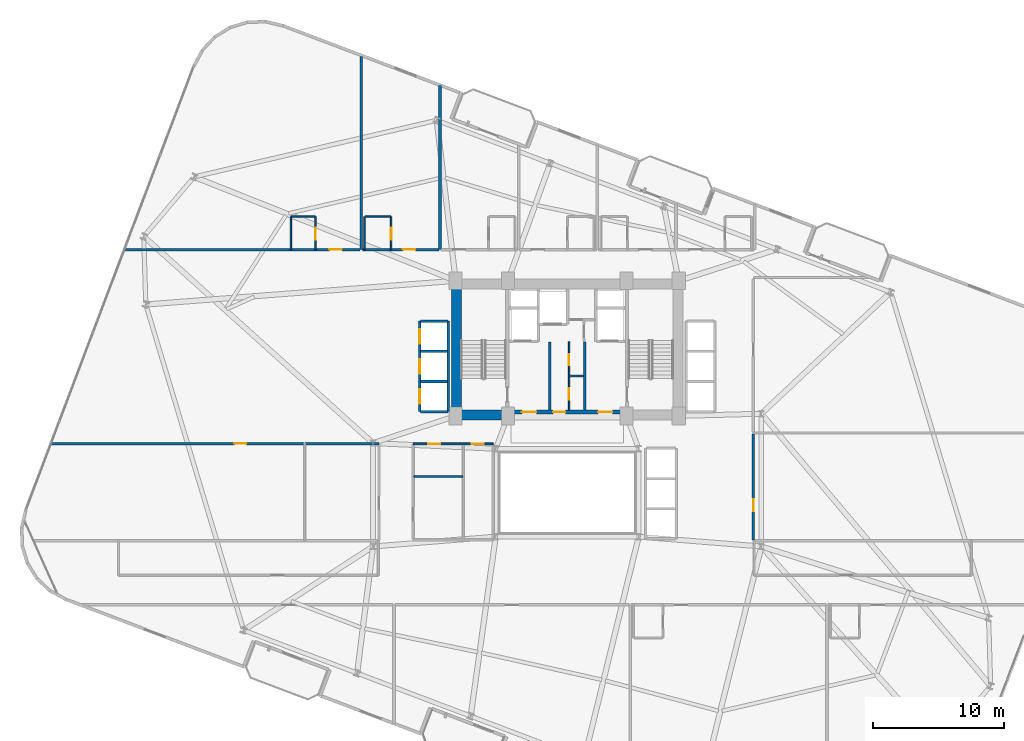
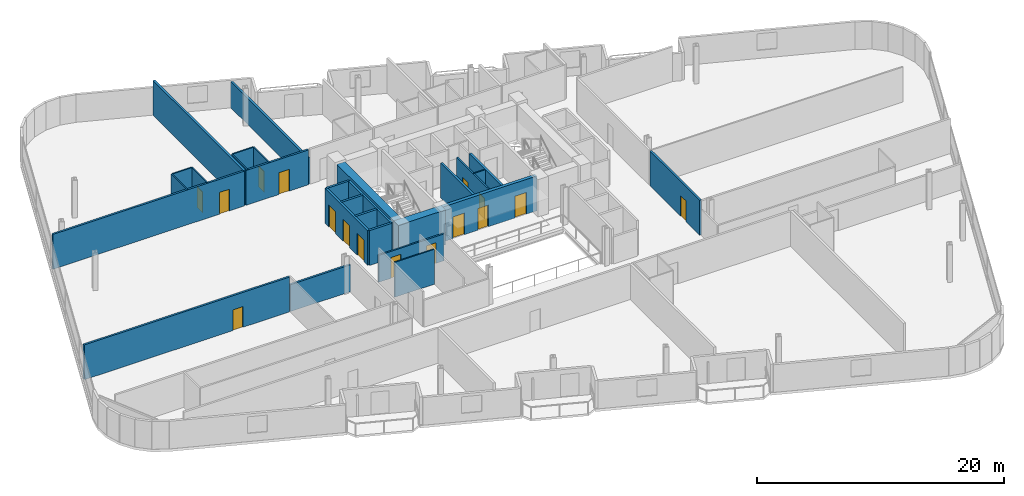
# One storey, part 19 of 25: 28 walls, 16 doors, 16 openings.
"""IFC4 building model written with IfcOpenShell, lengths in metres."""

from ifc_helpers import new_model, si_unit, direction, frame, frame_2d, origin, place, context, subcontext, project, spatial, rectangle, extrude, material, layer, layer_set, type_object, element, fill, save


model = new_model("IFC4")

# Units and contexts
model_context = context("Model", 3, precision=1e-05, world=origin(), true_north=direction((0.0, 1.0)))
body_context = subcontext(model_context, "Body", "Model", "MODEL_VIEW")
ifc_project = project(units=[si_unit("LENGTHUNIT", "METRE"), si_unit("AREAUNIT", "SQUARE_METRE"), si_unit("VOLUMEUNIT", "CUBIC_METRE"), si_unit("PLANEANGLEUNIT", "RADIAN"), si_unit("MASSUNIT", "GRAM", prefix="KILO")], contexts=[model_context])

# Site, building, storey
site_placement = place(None, origin())
site = spatial("IfcSite", under=ifc_project, at=site_placement, CompositionType="ELEMENT")
building_placement = place(site_placement, origin())
building = spatial("IfcBuilding", under=site, at=building_placement, Name="Varnelok Gate Tower", CompositionType="ELEMENT")
storey_placement = place(building_placement, frame((0.0, 0.0, 91.0)))
storey = spatial("IfcBuildingStorey", under=building, at=storey_placement, Name="L22", CompositionType="ELEMENT", Elevation=91.0)

# Wall, opening, door
ifc_material_1 = material(Name="Gypsum Plasterboard Acoustic Partition", Category="gypsum")
ifc_layer_1 = layer(ifc_material_1, 0.179931640625)
ifc_layer_set_1 = layer_set([ifc_layer_1], Name="Gypsum Plasterboard Acoustic Partition")
wall_type_1 = type_object("IfcWallType", Name="PW-CORR-180", PredefinedType="PARTITIONING", material=ifc_layer_set_1)
wall_1_placement = place(storey_placement, frame((5.505859375, 41.429931640625, 0.0), z_axis=(0.0, 0.0, 1.0), x_axis=(1.0, 0.0, 0.0)))
wall_1 = element("IfcWall", 1, at=wall_1_placement, inside=storey, type_object=wall_type_1, Name="Interior Partition", PredefinedType="PARTITIONING", context=body_context, shape_type="SweptSolid", body=[
    extrude(rectangle(XDim=17.9140625, YDim=0.179931640625, at=frame_2d((8.95703125, 0.0))), origin(), (0.0, 0.0, 1.0), 3.449951171875),
])
opening_1_placement = place(wall_1_placement, frame((15.564208984375, 0.0, 0.0)))
opening_1 = element("IfcOpeningElement", 2, at=opening_1_placement, cuts=wall_1, Name="Opening D-HT", PredefinedType="OPENING", context=body_context, shape_type="SweptSolid", body=[
    extrude(rectangle(XDim=0.949951171875, YDim=2.14990234375, at=frame_2d((0.47509765625, 1.074951171875))), frame((0.0, 0.099853515625, 0.0), z_axis=(0.0, -1.0, 0.0), x_axis=(1.0, 0.0, 0.0)), (0.0, 0.0, 1.0), 0.199951171875),
])
ifc_material_2 = material(Name="Engineered Hardwood Timber", Category="wood")
door_type_1 = type_object("IfcDoorType", Name="DR-HTL-950", OperationType="NOTDEFINED", PredefinedType="DOOR", material=ifc_material_2)
door_1_placement = place(opening_1_placement, origin())
door_1 = element("IfcDoor", 3, at=door_1_placement, inside=storey, type_object=door_type_1, Name="L22 Guest Room 05 Entrance Door", OperationType="SINGLE_SWING_RIGHT", OverallHeight=2.14990234375, OverallWidth=0.949951171875, PredefinedType="DOOR", context=body_context, shape_type="SweptSolid", body=[
    extrude(rectangle(XDim=0.949951171875, YDim=2.14990234375, at=frame_2d((0.47509765625, 1.074951171875))), frame((0.0, 0.02490234375, 0.0), z_axis=(0.0, -1.0, 0.0), x_axis=(1.0, 0.0, 0.0)), (0.0, 0.0, 1.0), 0.050048828125),
])
fill(opening_1, door_1)

wall_2_placement = place(storey_placement, frame((23.580078125, 41.429931640625, 0.0), z_axis=(0.0, 0.0, 1.0), x_axis=(1.0, 0.0, 0.0)))
wall_2 = element("IfcWall", 4, at=wall_2_placement, inside=storey, type_object=wall_type_1, Name="Interior Partition", PredefinedType="PARTITIONING", context=body_context, shape_type="SweptSolid", body=[
    extrude(rectangle(XDim=5.83984375, YDim=0.179931640625, at=frame_2d((2.919921875, 0.0))), origin(), (0.0, 0.0, 1.0), 3.449951171875),
])
opening_2_placement = place(wall_2_placement, frame((3.101318359375, 0.0, 0.0)))
opening_2 = element("IfcOpeningElement", 5, at=opening_2_placement, cuts=wall_2, Name="Opening D-HT", PredefinedType="OPENING", context=body_context, shape_type="SweptSolid", body=[
    extrude(rectangle(XDim=0.949951171875, YDim=2.14990234375, at=frame_2d((0.47509765625, 1.074951171875))), frame((0.0, 0.099853515625, 0.0), z_axis=(0.0, -1.0, 0.0), x_axis=(1.0, 0.0, 0.0)), (0.0, 0.0, 1.0), 0.199951171875),
])
door_2_placement = place(opening_2_placement, origin())
door_2 = element("IfcDoor", 6, at=door_2_placement, inside=storey, type_object=door_type_1, Name="L22 Guest Room 06 Entrance Door", OperationType="SINGLE_SWING_LEFT", OverallHeight=2.14990234375, OverallWidth=0.949951171875, PredefinedType="DOOR", context=body_context, shape_type="SweptSolid", body=[
    extrude(rectangle(XDim=0.949951171875, YDim=2.14990234375, at=frame_2d((0.47509765625, 1.074951171875))), frame((0.0, 0.02490234375, 0.0), z_axis=(0.0, -1.0, 0.0), x_axis=(1.0, 0.0, 0.0)), (0.0, 0.0, 1.0), 0.050048828125),
])
fill(opening_2, door_2)

wall_3_placement = place(storey_placement, frame((-0.093505859375, 26.639892578125, 0.0), z_axis=(0.0, 0.0, 1.0), x_axis=(1.0, 0.0, 0.0)))
wall_3 = element("IfcWall", 7, at=wall_3_placement, inside=storey, type_object=wall_type_1, Name="Interior Partition", PredefinedType="PARTITIONING", context=body_context, shape_type="SweptSolid", body=[
    extrude(rectangle(XDim=19.213623046875, YDim=0.179931640625, at=frame_2d((9.60693359375, 0.0))), origin(), (0.0, 0.0, 1.0), 3.449951171875),
])
opening_3_placement = place(wall_3_placement, frame((13.922607421875, 0.0, 0.0)))
opening_3 = element("IfcOpeningElement", 8, at=opening_3_placement, cuts=wall_3, Name="Opening D-I3", PredefinedType="OPENING", context=body_context, shape_type="SweptSolid", body=[
    extrude(rectangle(XDim=0.919921875, YDim=2.050048828125, at=frame_2d((0.4599609375, 1.02490234375))), frame((0.0, 0.099853515625, 0.0), z_axis=(0.0, -1.0, 0.0), x_axis=(1.0, 0.0, 0.0)), (0.0, 0.0, 1.0), 0.199951171875),
])
door_type_2 = type_object("IfcDoorType", Name="DR-INT-920", OperationType="NOTDEFINED", PredefinedType="DOOR", material=ifc_material_2)
door_3_placement = place(opening_3_placement, origin())
door_3 = element("IfcDoor", 9, at=door_3_placement, inside=storey, type_object=door_type_2, Name="L22 West Treatment Door", OperationType="SINGLE_SWING_RIGHT", OverallHeight=2.050048828125, OverallWidth=0.919921875, PredefinedType="DOOR", context=body_context, shape_type="SweptSolid", body=[
    extrude(rectangle(XDim=0.919921875, YDim=2.050048828125, at=frame_2d((0.4599609375, 1.02490234375))), frame((0.0, 0.02490234375, 0.0), z_axis=(0.0, -1.0, 0.0), x_axis=(1.0, 0.0, 0.0)), (0.0, 0.0, 1.0), 0.050048828125),
])
fill(opening_3, door_3)

# Wall
wall_4_placement = place(storey_placement, frame((19.199951171875, 26.639892578125, 0.0), z_axis=(0.0, 0.0, 1.0), x_axis=(1.0, 0.0, 0.0)))
element("IfcWall", 10, at=wall_4_placement, inside=storey, type_object=wall_type_1, Name="Interior Partition", PredefinedType="PARTITIONING", context=body_context, shape_type="SweptSolid", body=[
    extrude(rectangle(XDim=5.650146484375, YDim=0.179931640625, at=frame_2d((2.8251953125, 0.0))), origin(), (0.0, 0.0, 1.0), 2.662109375),
])

# Wall, opening, door
wall_5_placement = place(storey_placement, frame((53.389892578125, 19.300048828125, 0.0), z_axis=(0.0, 0.0, 1.0), x_axis=(0.0, 1.0, 0.0)))
wall_5 = element("IfcWall", 11, at=wall_5_placement, inside=storey, type_object=wall_type_1, Name="Interior Partition", PredefinedType="PARTITIONING", context=body_context, shape_type="SweptSolid", body=[
    extrude(rectangle(XDim=8.070068359375, YDim=0.179931640625, at=frame_2d((4.03515625, 0.0))), origin(), (0.0, 0.0, 1.0), 3.449951171875),
])
opening_4_placement = place(wall_5_placement, frame((2.199951171875, 0.0, 0.0)))
opening_4 = element("IfcOpeningElement", 12, at=opening_4_placement, cuts=wall_5, Name="Opening D-I3", PredefinedType="OPENING", context=body_context, shape_type="SweptSolid", body=[
    extrude(rectangle(XDim=0.919921875, YDim=2.050048828125, at=frame_2d((0.4599609375, 1.02490234375))), frame((0.0, 0.099853515625, 0.0), z_axis=(0.0, -1.0, 0.0), x_axis=(1.0, 0.0, 0.0)), (0.0, 0.0, 1.0), 0.199951171875),
])
door_4_placement = place(opening_4_placement, origin())
door_4 = element("IfcDoor", 13, at=door_4_placement, inside=storey, type_object=door_type_2, Name="L22 East Suite 1 Door", OperationType="SINGLE_SWING_LEFT", OverallHeight=2.050048828125, OverallWidth=0.919921875, PredefinedType="DOOR", context=body_context, shape_type="SweptSolid", body=[
    extrude(rectangle(XDim=0.919921875, YDim=2.050048828125, at=frame_2d((0.4599609375, 1.02490234375))), frame((0.0, 0.02490234375, 0.0), z_axis=(0.0, -1.0, 0.0), x_axis=(1.0, 0.0, 0.0)), (0.0, 0.0, 1.0), 0.050048828125),
])
fill(opening_4, door_4)

# Wall
ifc_layer_2 = layer(ifc_material_1, 0.114990234375)
ifc_layer_set_2 = layer_set([ifc_layer_2], Name="Gypsum Plasterboard Acoustic Partition")
wall_type_2 = type_object("IfcWallType", Name="PW-ENS-125", PredefinedType="PARTITIONING", material=ifc_layer_set_2)
wall_6_placement = place(storey_placement, frame((18.179931640625, 43.949951171875, 0.0), z_axis=(0.0, 0.0, 1.0), x_axis=(1.0, 0.0, 0.0)))
element("IfcWall", 14, at=wall_6_placement, inside=storey, type_object=wall_type_2, Name="Interior Partition", PredefinedType="PARTITIONING", context=body_context, shape_type="SweptSolid", body=[
    extrude(rectangle(XDim=1.807373046875, YDim=0.114990234375, at=frame_2d((0.90380859375, 0.0))), origin(), (0.0, 0.0, 1.0), 3.449951171875),
])

# Wall, opening, door
wall_7_placement = place(storey_placement, frame((20.027099609375, 41.429931640625, 0.0), z_axis=(0.0, 0.0, 1.0), x_axis=(0.0, 1.0, 0.0)))
wall_7 = element("IfcWall", 15, at=wall_7_placement, inside=storey, type_object=wall_type_2, Name="Interior Partition", PredefinedType="PARTITIONING", context=body_context, shape_type="SweptSolid", body=[
    extrude(rectangle(XDim=2.52001953125, YDim=0.114990234375, at=frame_2d((1.260009765625, 0.0))), origin(), (0.0, 0.0, 1.0), 3.449951171875),
])
opening_5_placement = place(wall_7_placement, frame((0.760009765625, 0.0, 0.0)))
opening_5 = element("IfcOpeningElement", 16, at=opening_5_placement, cuts=wall_7, Name="Opening D-WC", PredefinedType="OPENING", context=body_context, shape_type="SweptSolid", body=[
    extrude(rectangle(XDim=0.89990234375, YDim=2.050048828125, at=frame_2d((0.449951171875, 1.02490234375))), frame((0.0, 0.0673828125, 0.0), z_axis=(0.0, -1.0, 0.0), x_axis=(1.0, 0.0, 0.0)), (0.0, 0.0, 1.0), 0.135009765625),
])
door_type_3 = type_object("IfcDoorType", Name="DR-BATH-900", OperationType="NOTDEFINED", PredefinedType="DOOR", material=ifc_material_2)
door_5_placement = place(opening_5_placement, origin())
door_5 = element("IfcDoor", 17, at=door_5_placement, inside=storey, type_object=door_type_3, Name="L22 North En-Suite 05 Door", OperationType="SINGLE_SWING_RIGHT", OverallHeight=2.050048828125, OverallWidth=0.89990234375, PredefinedType="DOOR", context=body_context, shape_type="SweptSolid", body=[
    extrude(rectangle(XDim=0.89990234375, YDim=2.050048828125, at=frame_2d((0.449951171875, 1.02490234375))), frame((0.0, 0.02490234375, 0.0), z_axis=(0.0, -1.0, 0.0), x_axis=(1.0, 0.0, 0.0)), (0.0, 0.0, 1.0), 0.050048828125),
])
fill(opening_5, door_5)

# Walls
wall_8_placement = place(storey_placement, frame((18.139892578125, 41.429931640625, 0.0), z_axis=(0.0, 0.0, 1.0), x_axis=(0.0, 1.0, 0.0)))
element("IfcWall", 18, at=wall_8_placement, inside=storey, type_object=wall_type_2, Name="Interior Partition", PredefinedType="PARTITIONING", context=body_context, shape_type="SweptSolid", body=[
    extrude(rectangle(XDim=2.52001953125, YDim=0.114990234375, at=frame_2d((1.260009765625, 0.0))), origin(), (0.0, 0.0, 1.0), 3.449951171875),
])
wall_9_placement = place(storey_placement, frame((23.800048828125, 43.949951171875, 0.0), z_axis=(0.0, 0.0, 1.0), x_axis=(1.0, 0.0, 0.0)))
element("IfcWall", 19, at=wall_9_placement, inside=storey, type_object=wall_type_2, Name="Interior Partition", PredefinedType="PARTITIONING", context=body_context, shape_type="SweptSolid", body=[
    extrude(rectangle(XDim=1.94384765625, YDim=0.114990234375, at=frame_2d((0.971923828125, 0.0))), origin(), (0.0, 0.0, 1.0), 3.449951171875),
])

# Wall, opening, door
wall_10_placement = place(storey_placement, frame((25.783935546875, 41.429931640625, 0.0), z_axis=(0.0, 0.0, 1.0), x_axis=(0.0, 1.0, 0.0)))
wall_10 = element("IfcWall", 20, at=wall_10_placement, inside=storey, type_object=wall_type_2, Name="Interior Partition", PredefinedType="PARTITIONING", context=body_context, shape_type="SweptSolid", body=[
    extrude(rectangle(XDim=2.52001953125, YDim=0.114990234375, at=frame_2d((1.260009765625, 0.0))), origin(), (0.0, 0.0, 1.0), 3.449951171875),
])
opening_6_placement = place(wall_10_placement, frame((0.760009765625, 0.0, 0.0)))
opening_6 = element("IfcOpeningElement", 21, at=opening_6_placement, cuts=wall_10, Name="Opening D-WC", PredefinedType="OPENING", context=body_context, shape_type="SweptSolid", body=[
    extrude(rectangle(XDim=0.89990234375, YDim=2.050048828125, at=frame_2d((0.449951171875, 1.02490234375))), frame((0.0, 0.0673828125, 0.0), z_axis=(0.0, -1.0, 0.0), x_axis=(1.0, 0.0, 0.0)), (0.0, 0.0, 1.0), 0.135009765625),
])
door_6_placement = place(opening_6_placement, origin())
door_6 = element("IfcDoor", 22, at=door_6_placement, inside=storey, type_object=door_type_3, Name="L22 North En-Suite 06 Door", OperationType="SINGLE_SWING_RIGHT", OverallHeight=2.050048828125, OverallWidth=0.89990234375, PredefinedType="DOOR", context=body_context, shape_type="SweptSolid", body=[
    extrude(rectangle(XDim=0.89990234375, YDim=2.050048828125, at=frame_2d((0.449951171875, 1.02490234375))), frame((0.0, 0.02490234375, 0.0), z_axis=(0.0, -1.0, 0.0), x_axis=(1.0, 0.0, 0.0)), (0.0, 0.0, 1.0), 0.050048828125),
])
fill(opening_6, door_6)

# Walls
wall_11_placement = place(storey_placement, frame((23.760009765625, 41.429931640625, 0.0), z_axis=(0.0, 0.0, 1.0), x_axis=(0.0, 1.0, 0.0)))
element("IfcWall", 23, at=wall_11_placement, inside=storey, type_object=wall_type_2, Name="Interior Partition", PredefinedType="PARTITIONING", context=body_context, shape_type="SweptSolid", body=[
    extrude(rectangle(XDim=2.52001953125, YDim=0.114990234375, at=frame_2d((1.260009765625, 0.0))), origin(), (0.0, 0.0, 1.0), 3.449951171875),
])
ifc_layer_3 = layer(ifc_material_1, 0.125)
ifc_layer_set_3 = layer_set([ifc_layer_3], Name="Gypsum Plasterboard Acoustic Partition")
wall_type_3 = type_object("IfcWallType", Name="PW-PART-125", PredefinedType="PARTITIONING", material=ifc_layer_set_3)
wall_12_placement = place(storey_placement, frame((39.35009765625, 31.800048828125, 0.0), z_axis=(0.0, 0.0, 1.0), x_axis=(1.0, 0.0, 0.0)))
element("IfcWall", 24, at=wall_12_placement, inside=storey, type_object=wall_type_3, Name="Interior Partition", PredefinedType="PARTITIONING", context=body_context, shape_type="SweptSolid", body=[
    extrude(rectangle(XDim=1.08984375, YDim=0.125, at=frame_2d((0.544921875, 0.0))), origin(), (0.0, 0.0, 1.0), 3.449951171875),
])

# Wall, openings, doors
wall_13_placement = place(storey_placement, frame((39.35009765625, 29.199951171875, 0.0), z_axis=(0.0, 0.0, 1.0), x_axis=(0.0, 1.0, 0.0)))
wall_13 = element("IfcWall", 25, at=wall_13_placement, inside=storey, type_object=wall_type_3, Name="Interior Partition", PredefinedType="PARTITIONING", context=body_context, shape_type="SweptSolid", body=[
    extrude(rectangle(XDim=5.219970703125, YDim=0.125, at=frame_2d((2.60986328125, 0.0))), origin(), (0.0, 0.0, 1.0), 3.449951171875),
])
opening_7_placement = place(wall_13_placement, frame((0.800048828125, 0.0, 0.0)))
opening_7 = element("IfcOpeningElement", 26, at=opening_7_placement, cuts=wall_13, Name="Opening D-RS", PredefinedType="OPENING", context=body_context, shape_type="SweptSolid", body=[
    extrude(rectangle(XDim=0.85009765625, YDim=2.050048828125, at=frame_2d((0.425048828125, 1.02490234375))), frame((0.0, 0.072509765625, 0.0), z_axis=(0.0, -1.0, 0.0), x_axis=(1.0, 0.0, 0.0)), (0.0, 0.0, 1.0), 0.14501953125),
])
opening_8_placement = place(wall_13_placement, frame((3.39990234375, 0.0, 0.0)))
opening_8 = element("IfcOpeningElement", 27, at=opening_8_placement, cuts=wall_13, Name="Opening D-RS", PredefinedType="OPENING", context=body_context, shape_type="SweptSolid", body=[
    extrude(rectangle(XDim=0.85009765625, YDim=2.050048828125, at=frame_2d((0.425048828125, 1.02490234375))), frame((0.0, 0.072509765625, 0.0), z_axis=(0.0, -1.0, 0.0), x_axis=(1.0, 0.0, 0.0)), (0.0, 0.0, 1.0), 0.14501953125),
])
ifc_material_3 = material(Name="Galvanized Steel Grade S350GD", Category="steel")
door_type_4 = type_object("IfcDoorType", Name="DR-RISER-850", OperationType="NOTDEFINED", PredefinedType="DOOR", material=ifc_material_3)
door_7_placement = place(opening_7_placement, origin())
door_7 = element("IfcDoor", 28, at=door_7_placement, inside=storey, type_object=door_type_4, Name="L22 Housekeeping Linen Door", OperationType="SINGLE_SWING_RIGHT", OverallHeight=2.050048828125, OverallWidth=0.85009765625, PredefinedType="DOOR", context=body_context, shape_type="SweptSolid", body=[
    extrude(rectangle(XDim=0.85009765625, YDim=2.050048828125, at=frame_2d((0.425048828125, 1.02490234375))), frame((0.0, 0.02490234375, 0.0), z_axis=(0.0, -1.0, 0.0), x_axis=(1.0, 0.0, 0.0)), (0.0, 0.0, 1.0), 0.050048828125),
])
fill(opening_7, door_7)
door_8_placement = place(opening_8_placement, origin())
door_8 = element("IfcDoor", 29, at=door_8_placement, inside=storey, type_object=door_type_4, Name="L22 Core Supply Door", OperationType="SINGLE_SWING_LEFT", OverallHeight=2.050048828125, OverallWidth=0.85009765625, PredefinedType="DOOR", context=body_context, shape_type="SweptSolid", body=[
    extrude(rectangle(XDim=0.85009765625, YDim=2.050048828125, at=frame_2d((0.425048828125, 1.02490234375))), frame((0.0, 0.02490234375, 0.0), z_axis=(0.0, -1.0, 0.0), x_axis=(1.0, 0.0, 0.0)), (0.0, 0.0, 1.0), 0.050048828125),
])
fill(opening_8, door_8)

# Wall
wall_14_placement = place(storey_placement, frame((27.52001953125, 24.1298828125, 0.0), z_axis=(0.0, 0.0, 1.0), x_axis=(1.0, 0.0, 0.0)))
element("IfcWall", 30, at=wall_14_placement, inside=storey, type_object=wall_type_3, Name="Interior Partition", PredefinedType="PARTITIONING", context=body_context, shape_type="SweptSolid", body=[
    extrude(rectangle(XDim=3.699951171875, YDim=0.125, at=frame_2d((1.85009765625, 0.0))), origin(), (0.0, 0.0, 1.0), 3.449951171875),
])

# Wall, openings, doors
ifc_layer_4 = layer(ifc_material_1, 0.14990234375)
ifc_layer_set_4 = layer_set([ifc_layer_4], Name="Gypsum Plasterboard Acoustic Partition")
wall_type_4 = type_object("IfcWallType", Name="PW-PART-150", PredefinedType="PARTITIONING", material=ifc_layer_set_4)
wall_15_placement = place(storey_placement, frame((27.4599609375, 26.6201171875, 0.0), z_axis=(0.0, 0.0, 1.0), x_axis=(1.0, 0.0, 0.0)))
wall_15 = element("IfcWall", 31, at=wall_15_placement, inside=storey, type_object=wall_type_4, Name="Interior Partition", PredefinedType="PARTITIONING", context=body_context, shape_type="SweptSolid", body=[
    extrude(rectangle(XDim=6.10009765625, YDim=0.14990234375, at=frame_2d((3.050048828125, 0.0))), origin(), (0.0, 0.0, 1.0), 2.662109375),
])
opening_9_placement = place(wall_15_placement, frame((1.14990234375, 0.0, 0.0)))
opening_9 = element("IfcOpeningElement", 32, at=opening_9_placement, cuts=wall_15, Name="Opening D-WC", PredefinedType="OPENING", context=body_context, shape_type="SweptSolid", body=[
    extrude(rectangle(XDim=0.89990234375, YDim=2.050048828125, at=frame_2d((0.449951171875, 1.02490234375))), frame((0.0, 0.0849609375, 0.0), z_axis=(0.0, -1.0, 0.0), x_axis=(1.0, 0.0, 0.0)), (0.0, 0.0, 1.0), 0.169921875),
])
opening_10_placement = place(wall_15_placement, frame((4.449951171875, 0.0, 0.0)))
opening_10 = element("IfcOpeningElement", 33, at=opening_10_placement, cuts=wall_15, Name="Opening D-I3", PredefinedType="OPENING", context=body_context, shape_type="SweptSolid", body=[
    extrude(rectangle(XDim=0.919921875, YDim=2.050048828125, at=frame_2d((0.4599609375, 1.02490234375))), frame((0.0, 0.0849609375, 0.0), z_axis=(0.0, -1.0, 0.0), x_axis=(1.0, 0.0, 0.0)), (0.0, 0.0, 1.0), 0.169921875),
])
door_9_placement = place(opening_9_placement, origin())
door_9 = element("IfcDoor", 34, at=door_9_placement, inside=storey, type_object=door_type_3, Name="L22 Accessible Floor WC Door", OperationType="SINGLE_SWING_LEFT", OverallHeight=2.050048828125, OverallWidth=0.89990234375, PredefinedType="DOOR", context=body_context, shape_type="SweptSolid", body=[
    extrude(rectangle(XDim=0.89990234375, YDim=2.050048828125, at=frame_2d((0.449951171875, 1.02490234375))), frame((0.0, 0.02490234375, 0.0), z_axis=(0.0, -1.0, 0.0), x_axis=(1.0, 0.0, 0.0)), (0.0, 0.0, 1.0), 0.050048828125),
])
fill(opening_9, door_9)
door_10_placement = place(opening_10_placement, origin())
door_10 = element("IfcDoor", 35, at=door_10_placement, inside=storey, type_object=door_type_2, Name="L22 Valet Pantry Door", OperationType="SINGLE_SWING_RIGHT", OverallHeight=2.050048828125, OverallWidth=0.919921875, PredefinedType="DOOR", context=body_context, shape_type="SweptSolid", body=[
    extrude(rectangle(XDim=0.919921875, YDim=2.050048828125, at=frame_2d((0.4599609375, 1.02490234375))), frame((0.0, 0.02490234375, 0.0), z_axis=(0.0, -1.0, 0.0), x_axis=(1.0, 0.0, 0.0)), (0.0, 0.0, 1.0), 0.050048828125),
])
fill(opening_10, door_10)

# Walls
ifc_layer_5 = layer(ifc_material_1, 0.205078125)
ifc_layer_set_5 = layer_set([ifc_layer_5], Name="Gypsum Plasterboard Acoustic Partition")
wall_type_5 = type_object("IfcWallType", Name="PW-PARTY-200", PredefinedType="PARTITIONING", material=ifc_layer_set_5)
wall_16_placement = place(storey_placement, frame((23.5, 41.429931640625, 0.0), z_axis=(0.0, 0.0, 1.0), x_axis=(0.0, 1.0, 0.0)))
element("IfcWall", 36, at=wall_16_placement, inside=storey, type_object=wall_type_5, Name="L22 North Party Wall 1", PredefinedType="PARTITIONING", context=body_context, shape_type="SweptSolid", body=[
    extrude(rectangle(XDim=14.708251953125, YDim=0.205078125, at=frame_2d((7.35400390625, 0.0))), origin(), (0.0, 0.0, 1.0), 3.449951171875),
])
wall_17_placement = place(storey_placement, frame((29.5, 41.429931640625, 0.0), z_axis=(0.0, 0.0, 1.0), x_axis=(0.0, 1.0, 0.0)))
element("IfcWall", 37, at=wall_17_placement, inside=storey, type_object=wall_type_5, Name="L22 North Party Wall 2", PredefinedType="PARTITIONING", context=body_context, shape_type="SweptSolid", body=[
    extrude(rectangle(XDim=12.520263671875, YDim=0.205078125, at=frame_2d((6.26025390625, 0.0))), origin(), (0.0, 0.0, 1.0), 2.580078125),
])
ifc_material_4 = material(Name="Concrete C35/45", Category="concrete")
ifc_layer_6 = layer(ifc_material_4, 0.199951171875)
ifc_layer_set_6 = layer_set([ifc_layer_6], Name="Concrete C35/45")
wall_type_6 = type_object("IfcWallType", Name="PW-SHAFT-200", PredefinedType="PARTITIONING", material=ifc_layer_set_6)
for number, where, z_axis, x_axis, name in (
    (38, (37.860107421875, 29.199951171875, 0.0), (0.0, 0.0, 1.0), (0.0, 1.0, 0.0), "L22 West FF Lobby Rated Wall"),
    (39, (40.5400390625, 29.199951171875, 0.0), (0.0, 0.0, 1.0), (0.0, 1.0, 0.0), "L22 East FF Lobby Rated Wall"),
):
    element("IfcWall", number, at=place(storey_placement, frame(where, z_axis=z_axis, x_axis=x_axis)), inside=storey, type_object=wall_type_6, Name=name, PredefinedType="PARTITIONING", context=body_context, shape_type="SweptSolid", body=[
        extrude(rectangle(XDim=5.179931640625, YDim=0.199951171875, at=frame_2d((2.58984375, 0.0))), origin(), (0.0, 0.0, 1.0), 3.449951171875),
    ])
for number, where, z_axis, x_axis, name in (
    (40, (28.02001953125, 31.375, 0.0), (0.0, 0.0, 1.0), (1.0, 0.0, 0.0), "L22 PL1 Divider"),
    (41, (28.02001953125, 33.675048828125, 0.0), (0.0, 0.0, 1.0), (1.0, 0.0, 0.0), "L22 PL2 Divider"),
):
    element("IfcWall", number, at=place(storey_placement, frame(where, z_axis=z_axis, x_axis=x_axis)), inside=storey, type_object=wall_type_6, Name=name, PredefinedType="PARTITIONING", context=body_context, shape_type="SweptSolid", body=[
        extrude(rectangle(XDim=2.06005859375, YDim=0.199951171875, at=frame_2d((1.030029296875, 0.0))), origin(), (0.0, 0.0, 1.0), 3.449951171875),
    ])
for number, where, z_axis, x_axis, name in (
    (42, (28.0, 29.080078125, 0.0), (0.0, 0.0, 1.0), (1.0, 0.0, 0.0), "L22 PL Bank South Wall"),
    (43, (28.0, 35.969970703125, 0.0), (0.0, 0.0, 1.0), (1.0, 0.0, 0.0), "L22 PL Bank North Wall"),
):
    element("IfcWall", number, at=place(storey_placement, frame(where, z_axis=z_axis, x_axis=x_axis)), inside=storey, type_object=wall_type_6, Name=name, PredefinedType="PARTITIONING", context=body_context, shape_type="SweptSolid", body=[
        extrude(rectangle(XDim=2.10009765625, YDim=0.199951171875, at=frame_2d((1.050048828125, 0.0))), origin(), (0.0, 0.0, 1.0), 3.449951171875),
    ])
wall_18_placement = place(storey_placement, frame((30.1201171875, 29.080078125, 0.0), z_axis=(0.0, 0.0, 1.0), x_axis=(0.0, 1.0, 0.0)))
element("IfcWall", 44, at=wall_18_placement, inside=storey, type_object=wall_type_6, Name="L22 PL Bank Back Wall", PredefinedType="PARTITIONING", context=body_context, shape_type="SweptSolid", body=[
    extrude(rectangle(XDim=6.889892578125, YDim=0.199951171875, at=frame_2d((3.44482421875, 0.0))), origin(), (0.0, 0.0, 1.0), 3.449951171875),
])

# Wall, openings, doors
wall_19_placement = place(storey_placement, frame((27.9599609375, 29.080078125, 0.0), z_axis=(0.0, 0.0, 1.0), x_axis=(0.0, 1.0, 0.0)))
wall_19 = element("IfcWall", 45, at=wall_19_placement, inside=storey, type_object=wall_type_6, Name="L22 PL Bank Front Wall", PredefinedType="PARTITIONING", context=body_context, shape_type="SweptSolid", body=[
    extrude(rectangle(XDim=6.889892578125, YDim=0.199951171875, at=frame_2d((3.44482421875, 0.0))), origin(), (0.0, 0.0, 1.0), 3.449951171875),
])
opening_11_placement = place(wall_19_placement, frame((0.590087890625, 0.0, 0.0)))
opening_11 = element("IfcOpeningElement", 46, at=opening_11_placement, cuts=wall_19, Name="Opening LD-PL1", PredefinedType="OPENING", context=body_context, shape_type="SweptSolid", body=[
    extrude(rectangle(XDim=1.10009765625, YDim=2.14990234375, at=frame_2d((0.550048828125, 1.074951171875))), frame((0.0, 0.10986328125, 0.0), z_axis=(0.0, -1.0, 0.0), x_axis=(1.0, 0.0, 0.0)), (0.0, 0.0, 1.0), 0.219970703125),
])
opening_12_placement = place(wall_19_placement, frame((2.889892578125, 0.0, 0.0)))
opening_12 = element("IfcOpeningElement", 47, at=opening_12_placement, cuts=wall_19, Name="Opening LD-PL2", PredefinedType="OPENING", context=body_context, shape_type="SweptSolid", body=[
    extrude(rectangle(XDim=1.10009765625, YDim=2.14990234375, at=frame_2d((0.550048828125, 1.074951171875))), frame((0.0, 0.10986328125, 0.0), z_axis=(0.0, -1.0, 0.0), x_axis=(1.0, 0.0, 0.0)), (0.0, 0.0, 1.0), 0.219970703125),
])
opening_13_placement = place(wall_19_placement, frame((5.18994140625, 0.0, 0.0)))
opening_13 = element("IfcOpeningElement", 48, at=opening_13_placement, cuts=wall_19, Name="Opening LD-PL3", PredefinedType="OPENING", context=body_context, shape_type="SweptSolid", body=[
    extrude(rectangle(XDim=1.10009765625, YDim=2.14990234375, at=frame_2d((0.550048828125, 1.074951171875))), frame((0.0, 0.10986328125, 0.0), z_axis=(0.0, -1.0, 0.0), x_axis=(1.0, 0.0, 0.0)), (0.0, 0.0, 1.0), 0.219970703125),
])
door_type_5 = type_object("IfcDoorType", Name="DR-LIFT-PAX1100", OperationType="SLIDING_TO_LEFT", PredefinedType="DOOR", material=ifc_material_3)
door_11_placement = place(opening_11_placement, origin())
door_11 = element("IfcDoor", 49, at=door_11_placement, inside=storey, type_object=door_type_5, Name="L22 Passenger Lift Landing Door LD-PL1", OperationType="SLIDING_TO_LEFT", OverallHeight=2.14990234375, OverallWidth=1.10009765625, PredefinedType="DOOR", context=body_context, shape_type="SweptSolid", body=[
    extrude(rectangle(XDim=1.10009765625, YDim=2.14990234375, at=frame_2d((0.550048828125, 1.074951171875))), frame((0.0, 0.02490234375, 0.0), z_axis=(0.0, -1.0, 0.0), x_axis=(1.0, 0.0, 0.0)), (0.0, 0.0, 1.0), 0.050048828125),
])
fill(opening_11, door_11)
door_12_placement = place(opening_12_placement, origin())
door_12 = element("IfcDoor", 50, at=door_12_placement, inside=storey, type_object=door_type_5, Name="L22 Passenger Lift Landing Door LD-PL2", OperationType="SLIDING_TO_LEFT", OverallHeight=2.14990234375, OverallWidth=1.10009765625, PredefinedType="DOOR", context=body_context, shape_type="SweptSolid", body=[
    extrude(rectangle(XDim=1.10009765625, YDim=2.14990234375, at=frame_2d((0.550048828125, 1.074951171875))), frame((0.0, 0.02490234375, 0.0), z_axis=(0.0, -1.0, 0.0), x_axis=(1.0, 0.0, 0.0)), (0.0, 0.0, 1.0), 0.050048828125),
])
fill(opening_12, door_12)
door_13_placement = place(opening_13_placement, origin())
door_13 = element("IfcDoor", 51, at=door_13_placement, inside=storey, type_object=door_type_5, Name="L22 Passenger Lift Landing Door LD-PL3", OperationType="SLIDING_TO_LEFT", OverallHeight=2.14990234375, OverallWidth=1.10009765625, PredefinedType="DOOR", context=body_context, shape_type="SweptSolid", body=[
    extrude(rectangle(XDim=1.10009765625, YDim=2.14990234375, at=frame_2d((0.550048828125, 1.074951171875))), frame((0.0, 0.02490234375, 0.0), z_axis=(0.0, -1.0, 0.0), x_axis=(1.0, 0.0, 0.0)), (0.0, 0.0, 1.0), 0.050048828125),
])
fill(opening_13, door_13)

# Walls
ifc_material_5 = material(Name="Concrete C70/85", Category="concrete")
ifc_layer_7 = layer(ifc_material_5, 0.75)
ifc_layer_set_7 = layer_set([ifc_layer_7], Name="Concrete C70/85")
wall_type_7 = type_object("IfcWallType", Name="SW-CORE-750", PredefinedType="SHEAR", material=ifc_layer_set_7)
wall_20_placement = place(storey_placement, frame((30.7548828125, 29.199951171875, 0.0), z_axis=(0.0, 0.0, 1.0), x_axis=(0.0, 1.0, 0.0)))
element("IfcWall", 52, at=wall_20_placement, inside=storey, type_object=wall_type_7, Name="L22 Rear Core West Shear Wall", PredefinedType="SHEAR", context=body_context, shape_type="SweptSolid", body=[
    extrude(rectangle(XDim=9.219970703125, YDim=0.75, at=frame_2d((4.60986328125, 0.0))), origin(), (0.0, 0.0, 1.0), 3.449951171875),
])
wall_21_placement = place(storey_placement, frame((30.3798828125, 28.824951171875, 0.0), z_axis=(0.0, 0.0, 1.0), x_axis=(1.0, 0.0, 0.0)))
element("IfcWall", 53, at=wall_21_placement, inside=storey, type_object=wall_type_7, Name="L22 Rear Core South-West Shear Wall", PredefinedType="SHEAR", context=body_context, shape_type="SweptSolid", body=[
    extrude(rectangle(XDim=4.420166015625, YDim=0.75, at=frame_2d((2.2099609375, 0.0))), origin(), (0.0, 0.0, 1.0), 3.449951171875),
])

# Wall, openings, doors
ifc_material_6 = material(Name="Concrete C60/75", Category="concrete")
ifc_layer_8 = layer(ifc_material_6, 0.300048828125)
ifc_layer_set_8 = layer_set([ifc_layer_8], Name="Concrete C60/75")
wall_type_8 = type_object("IfcWallType", Name="SW-SHAFT-300", PredefinedType="SHEAR", material=ifc_layer_set_8)
wall_22_placement = place(storey_placement, frame((34.800048828125, 29.050048828125, 0.0), z_axis=(0.0, 0.0, 1.0), x_axis=(1.0, 0.0, 0.0)))
wall_22 = element("IfcWall", 54, at=wall_22_placement, inside=storey, type_object=wall_type_8, Name="L22 Rear Core Central Lobby Shear Wall", PredefinedType="SHEAR", context=body_context, shape_type="SweptSolid", body=[
    extrude(rectangle(XDim=8.800048828125, YDim=0.300048828125, at=frame_2d((4.39990234375, 0.0))), origin(), (0.0, 0.0, 1.0), 3.449951171875),
])
opening_14_placement = place(wall_22_placement, frame((0.949951171875, 0.0, 0.0)))
opening_14 = element("IfcOpeningElement", 55, at=opening_14_placement, cuts=wall_22, Name="Opening D-FF", PredefinedType="OPENING", context=body_context, shape_type="SweptSolid", body=[
    extrude(rectangle(XDim=1.10009765625, YDim=2.14990234375, at=frame_2d((0.550048828125, 1.074951171875))), frame((0.0, 0.159912109375, 0.0), z_axis=(0.0, -1.0, 0.0), x_axis=(1.0, 0.0, 0.0)), (0.0, 0.0, 1.0), 0.320068359375),
])
opening_15_placement = place(wall_22_placement, frame((6.75, 0.0, 0.0)))
opening_15 = element("IfcOpeningElement", 56, at=opening_15_placement, cuts=wall_22, Name="Opening D-FF", PredefinedType="OPENING", context=body_context, shape_type="SweptSolid", body=[
    extrude(rectangle(XDim=1.10009765625, YDim=2.14990234375, at=frame_2d((0.550048828125, 1.074951171875))), frame((0.0, 0.159912109375, 0.0), z_axis=(0.0, -1.0, 0.0), x_axis=(1.0, 0.0, 0.0)), (0.0, 0.0, 1.0), 0.320068359375),
])
opening_16_placement = place(wall_22_placement, frame((3.320068359375, 0.0, 0.0)))
opening_16 = element("IfcOpeningElement", 57, at=opening_16_placement, cuts=wall_22, Name="Opening D-CR", PredefinedType="OPENING", context=body_context, shape_type="SweptSolid", body=[
    extrude(rectangle(XDim=0.949951171875, YDim=2.14990234375, at=frame_2d((0.47509765625, 1.074951171875))), frame((0.0, 0.159912109375, 0.0), z_axis=(0.0, -1.0, 0.0), x_axis=(1.0, 0.0, 0.0)), (0.0, 0.0, 1.0), 0.320068359375),
])
door_type_6 = type_object("IfcDoorType", Name="DR-CORR-950", OperationType="NOTDEFINED", PredefinedType="DOOR", material=ifc_material_3)
door_14_placement = place(opening_16_placement, origin())
door_14 = element("IfcDoor", 58, at=door_14_placement, inside=storey, type_object=door_type_6, Name="L22 Core Service Passage Door", OperationType="SINGLE_SWING_LEFT", OverallHeight=2.14990234375, OverallWidth=0.949951171875, PredefinedType="DOOR", context=body_context, shape_type="SweptSolid", body=[
    extrude(rectangle(XDim=0.949951171875, YDim=2.14990234375, at=frame_2d((0.47509765625, 1.074951171875))), frame((0.0, 0.02490234375, 0.0), z_axis=(0.0, -1.0, 0.0), x_axis=(1.0, 0.0, 0.0)), (0.0, 0.0, 1.0), 0.050048828125),
])
fill(opening_16, door_14)
door_type_7 = type_object("IfcDoorType", Name="DR-FFLOB-1100", OperationType="NOTDEFINED", PredefinedType="DOOR", material=ifc_material_3)
door_15_placement = place(opening_14_placement, origin())
door_15 = element("IfcDoor", 59, at=door_15_placement, inside=storey, type_object=door_type_7, Name="L22 West Firefighting Lobby Fire Door", OperationType="SINGLE_SWING_RIGHT", OverallHeight=2.14990234375, OverallWidth=1.10009765625, PredefinedType="DOOR", context=body_context, shape_type="SweptSolid", body=[
    extrude(rectangle(XDim=1.10009765625, YDim=2.14990234375, at=frame_2d((0.550048828125, 1.074951171875))), frame((0.0, 0.02490234375, 0.0), z_axis=(0.0, -1.0, 0.0), x_axis=(1.0, 0.0, 0.0)), (0.0, 0.0, 1.0), 0.050048828125),
])
fill(opening_14, door_15)
door_16_placement = place(opening_15_placement, origin())
door_16 = element("IfcDoor", 60, at=door_16_placement, inside=storey, type_object=door_type_7, Name="L22 East Firefighting Lobby Fire Door", OperationType="SINGLE_SWING_LEFT", OverallHeight=2.14990234375, OverallWidth=1.10009765625, PredefinedType="DOOR", context=body_context, shape_type="SweptSolid", body=[
    extrude(rectangle(XDim=1.10009765625, YDim=2.14990234375, at=frame_2d((0.550048828125, 1.074951171875))), frame((0.0, 0.02490234375, 0.0), z_axis=(0.0, -1.0, 0.0), x_axis=(1.0, 0.0, 0.0)), (0.0, 0.0, 1.0), 0.050048828125),
])
fill(opening_15, door_16)

save(model, "model.ifc")
